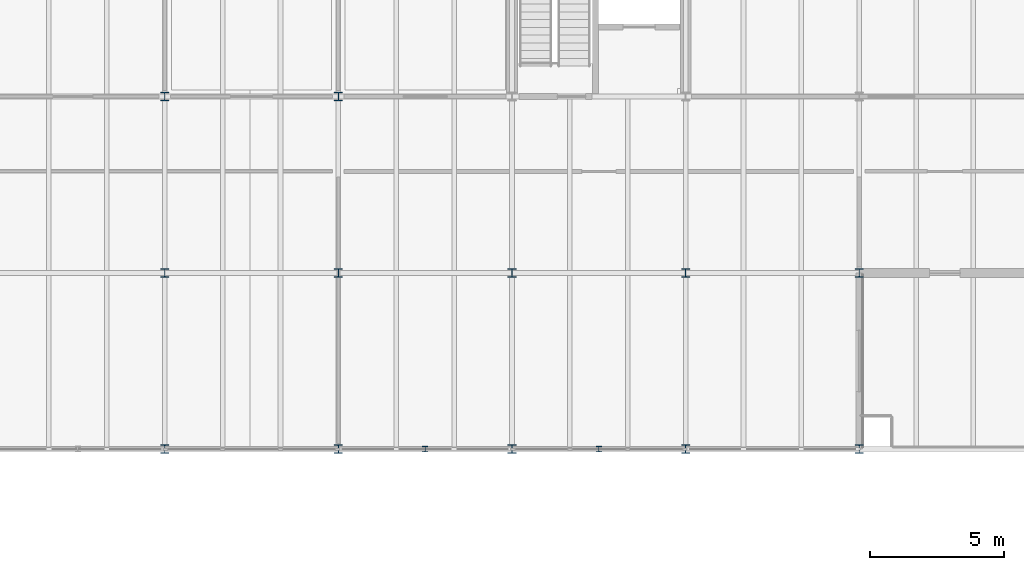
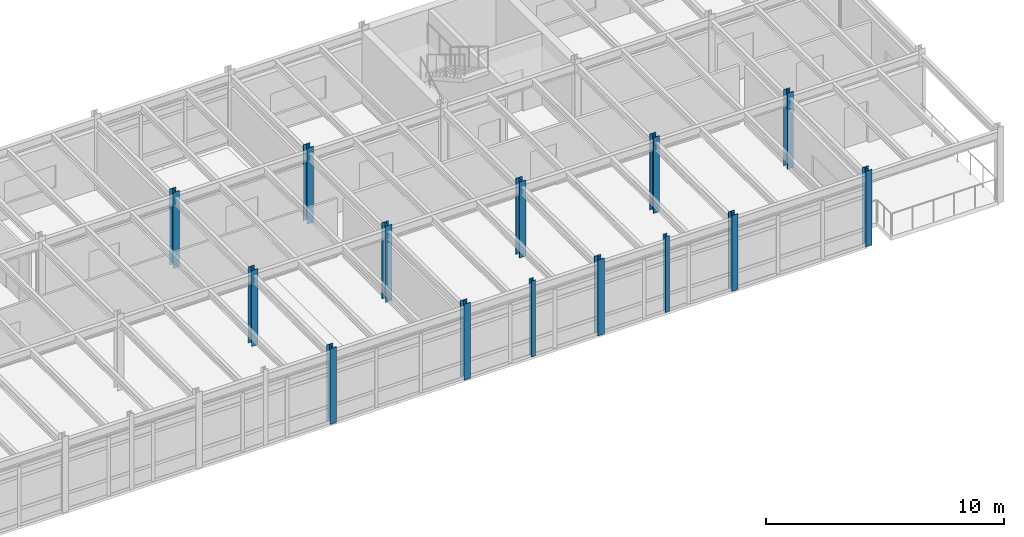
# One storey, part 10 of 49: 14 columns.
"""IFC4 building model written with IfcOpenShell, lengths in metres."""

from ifc_helpers import new_model, si_unit, direction, frame, origin, origin_2d, place, context, subcontext, project, spatial, i_section, extrude, material, material_profile, profile_set, type_object, element, save


model = new_model("IFC4")

# Units and contexts
model_context = context("Model", 3, precision=1e-05, world=origin(), true_north=direction((0.0, 1.0)))
body_context = subcontext(model_context, "Body", "Model", "MODEL_VIEW")
ifc_project = project(units=[si_unit("LENGTHUNIT", "METRE"), si_unit("AREAUNIT", "SQUARE_METRE"), si_unit("VOLUMEUNIT", "CUBIC_METRE"), si_unit("PLANEANGLEUNIT", "RADIAN"), si_unit("MASSUNIT", "GRAM", prefix="KILO")], contexts=[model_context])

# Site, building, storey
site_placement = place(None, origin())
site = spatial("IfcSite", under=ifc_project, at=site_placement, CompositionType="ELEMENT")
building_placement = place(site_placement, origin())
building = spatial("IfcBuilding", under=site, at=building_placement, Name="Trelmorton Wharf Fire Station", CompositionType="ELEMENT")
storey_placement = place(building_placement, frame((0.0, 0.0, 9.60009765625)))
storey = spatial("IfcBuildingStorey", under=building, at=storey_placement, Name="L02", CompositionType="ELEMENT", Elevation=9.60009765625)

# Columns
ifc_material = material(Name="Steel Grade 350", Category="steel")
ifc_material_profile_1 = material_profile(ifc_material, i_section(OverallWidth=0.30908203125, OverallDepth=0.321044921875, WebThickness=0.013916015625, FlangeThickness=0.021728515625, FilletRadius=0.0166015625, at=origin_2d()), Name="310UC137")
ifc_profile_set_1 = profile_set([ifc_material_profile_1], Name="Steel Grade 350")
column_type_1 = type_object("IfcColumnType", Name="COL_310UC137", PredefinedType="COLUMN", material=ifc_profile_set_1)
for number, where, z_axis, x_axis, name in (
    (1, (130.0, 7.800048828125, 0.0), (0.0, 0.0, 1.0), (1.0, 0.0, 0.0), "COL-L02-0536"),
    (2, (130.0, 14.39990234375, 0.0), (0.0, 0.0, 1.0), (1.0, 0.0, 0.0), "COL-L02-0537"),
    (3, (130.0, 21.0, 0.0), (0.0, 0.0, 1.0), (1.0, 0.0, 0.0), "COL-L02-0538"),
    (4, (136.5, 7.800048828125, 0.0), (0.0, 0.0, 1.0), (1.0, 0.0, 0.0), "COL-L02-0544"),
    (5, (136.5, 14.39990234375, 0.0), (0.0, 0.0, 1.0), (1.0, 0.0, 0.0), "COL-L02-0545"),
    (6, (136.5, 21.0, 0.0), (0.0, 0.0, 1.0), (1.0, 0.0, 0.0), "COL-L02-0546"),
    (7, (143.0, 7.800048828125, 0.0), (0.0, 0.0, 1.0), (1.0, 0.0, 0.0), "COL-L02-0552"),
    (8, (143.0, 14.39990234375, 0.0), (0.0, 0.0, 1.0), (1.0, 0.0, 0.0), "COL-L02-0553"),
    (9, (149.5, 7.800048828125, 0.0), (0.0, 0.0, 1.0), (1.0, 0.0, 0.0), "COL-L02-0560"),
    (10, (149.5, 14.39990234375, 0.0), (0.0, 0.0, 1.0), (1.0, 0.0, 0.0), "COL-L02-0561"),
    (11, (156.0, 7.800048828125, 0.0), (0.0, 0.0, 1.0), (1.0, 0.0, 0.0), "COL-L02-0568"),
    (12, (156.0, 14.39990234375, 0.0), (0.0, 0.0, 1.0), (1.0, 0.0, 0.0), "COL-L02-0569"),
):
    element("IfcColumn", number, at=place(storey_placement, frame(where, z_axis=z_axis, x_axis=x_axis)), inside=storey, type_object=column_type_1, Name=name, PredefinedType="COLUMN", context=body_context, shape_type="SweptSolid", body=[
        extrude(i_section(OverallWidth=0.30908203125, OverallDepth=0.321044921875, WebThickness=0.013916015625, FlangeThickness=0.021728515625, FilletRadius=0.0166015625, at=origin_2d()), origin(), (0.0, 0.0, 1.0), 3.89990234375),
    ])
ifc_material_profile_2 = material_profile(ifc_material, i_section(OverallWidth=0.205078125, OverallDepth=0.2099609375, WebThickness=0.00927734375, FlangeThickness=0.01416015625, FilletRadius=0.011474609375, at=origin_2d()), Name="200UC59.5")
ifc_profile_set_2 = profile_set([ifc_material_profile_2], Name="Steel Grade 350")
column_type_2 = type_object("IfcColumnType", Name="PIL_200UC60", PredefinedType="PILASTER", material=ifc_profile_set_2)
for number, where, z_axis, x_axis, name in (
    (13, (139.75, 7.800048828125, 0.0), (0.0, 0.0, 1.0), (1.0, 0.0, 0.0), "PIL-S-L02-022"),
    (14, (146.25, 7.800048828125, 0.0), (0.0, 0.0, 1.0), (1.0, 0.0, 0.0), "PIL-S-L02-030"),
):
    element("IfcColumn", number, at=place(storey_placement, frame(where, z_axis=z_axis, x_axis=x_axis)), inside=storey, type_object=column_type_2, Name=name, PredefinedType="PILASTER", context=body_context, shape_type="SweptSolid", body=[
        extrude(i_section(OverallWidth=0.205078125, OverallDepth=0.2099609375, WebThickness=0.00927734375, FlangeThickness=0.01416015625, FilletRadius=0.011474609375, at=origin_2d()), origin(), (0.0, 0.0, 1.0), 3.89990234375),
    ])

save(model, "model.ifc")
